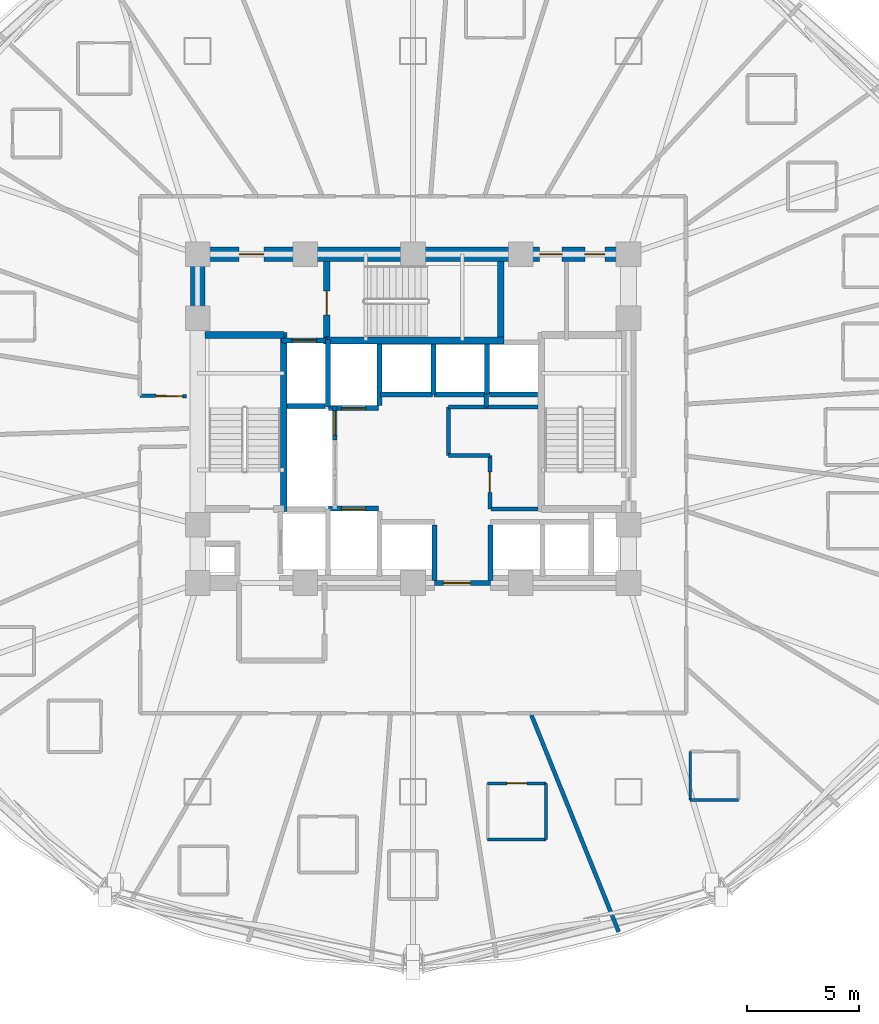
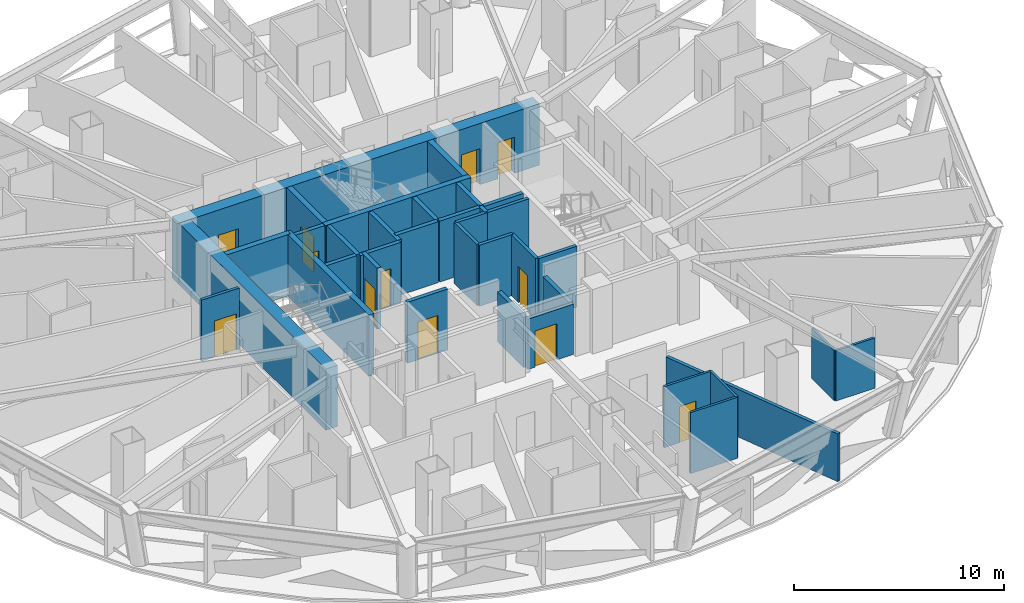
# One storey, part 6 of 13: 36 walls, 12 doors, 12 openings.
"""IFC4 building model written with IfcOpenShell, lengths in metres."""

from ifc_helpers import new_model, si_unit, direction, frame, frame_2d, origin, place, context, subcontext, project, spatial, rectangle, extrude, material, layer, layer_set, type_object, element, fill, save


model = new_model("IFC4")

# Units and contexts
model_context = context("Model", 3, precision=1e-05, world=origin(), true_north=direction((0.0, 1.0)))
body_context = subcontext(model_context, "Body", "Model", "MODEL_VIEW")
ifc_project = project(units=[si_unit("LENGTHUNIT", "METRE"), si_unit("AREAUNIT", "SQUARE_METRE"), si_unit("VOLUMEUNIT", "CUBIC_METRE"), si_unit("PLANEANGLEUNIT", "RADIAN"), si_unit("MASSUNIT", "GRAM", prefix="KILO")], contexts=[model_context])

# Site, building, storey
site_placement = place(None, origin())
site = spatial("IfcSite", under=ifc_project, at=site_placement, CompositionType="ELEMENT")
building_placement = place(site_placement, origin())
building = spatial("IfcBuilding", under=site, at=building_placement, Name="Vantalir Tower", CompositionType="ELEMENT")
storey_placement = place(building_placement, frame((0.0, 0.0, 53.25)))
storey = spatial("IfcBuildingStorey", under=building, at=storey_placement, Name="L12", CompositionType="ELEMENT", Elevation=53.25)

# Wall
ifc_material_1 = material(Name="Moisture-resistant en-suite partition", Category="gypsum")
ifc_layer_1 = layer(ifc_material_1, 0.125)
ifc_layer_set_1 = layer_set([ifc_layer_1], Name="Moisture-resistant en-suite partition")
wall_type_1 = type_object("IfcWallType", Name="WL-BATH-125", PredefinedType="PARTITIONING", material=ifc_layer_set_1)
wall_1_placement = place(storey_placement, frame((34.824951171875, 6.373046875, 0.0), z_axis=(0.0, 0.0, 1.0), x_axis=(1.0, 0.0, 0.0)))
element("IfcWall", 1, at=wall_1_placement, inside=storey, type_object=wall_type_1, Name="L12 En-suite 23 South Wall", PredefinedType="PARTITIONING", context=body_context, shape_type="SweptSolid", body=[
    extrude(rectangle(XDim=2.60009765625, YDim=0.125, at=frame_2d((1.300048828125, 0.0))), origin(), (0.0, 0.0, 1.0), 3.550048828125),
])

# Wall, opening, door
wall_2_placement = place(storey_placement, frame((34.824951171875, 8.873046875, 0.0), z_axis=(0.0, 0.0, 1.0), x_axis=(1.0, 0.0, 0.0)))
wall_2 = element("IfcWall", 2, at=wall_2_placement, inside=storey, type_object=wall_type_1, Name="L12 En-suite 23 North Wall", PredefinedType="PARTITIONING", context=body_context, shape_type="SweptSolid", body=[
    extrude(rectangle(XDim=2.60009765625, YDim=0.125, at=frame_2d((1.300048828125, 0.0))), origin(), (0.0, 0.0, 1.0), 3.550048828125),
])
opening_1_placement = place(wall_2_placement, frame((0.85009765625, 0.0, 0.0)))
opening_1 = element("IfcOpeningElement", 3, at=opening_1_placement, cuts=wall_2, Name="Opening D-WC", PredefinedType="OPENING", context=body_context, shape_type="SweptSolid", body=[
    extrude(rectangle(XDim=0.89990234375, YDim=2.10009765625, at=frame_2d((0.449951171875, 1.050048828125))), frame((0.0, 0.072509765625, 0.0), z_axis=(0.0, -1.0, 0.0), x_axis=(1.0, 0.0, 0.0)), (0.0, 0.0, 1.0), 0.14501953125),
])
ifc_material_2 = material(Name="Moisture-resistant hardwood door", Category="wood")
door_type_1 = type_object("IfcDoorType", Name="DR-ENSUITE-900", OperationType="NOTDEFINED", PredefinedType="DOOR", material=ifc_material_2)
door_1_placement = place(opening_1_placement, frame((0.89990234375, 0.0, 0.0), z_axis=(0.0, 0.0, 1.0), x_axis=(-1.0, 0.0, 0.0)))
door_1 = element("IfcDoor", 4, at=door_1_placement, inside=storey, type_object=door_type_1, Name="L12 En-suite 23 Door", OperationType="SINGLE_SWING_RIGHT", OverallHeight=2.10009765625, OverallWidth=0.89990234375, PredefinedType="DOOR", context=body_context, shape_type="SweptSolid", body=[
    extrude(rectangle(XDim=0.89990234375, YDim=2.10009765625, at=frame_2d((0.449951171875, 1.050048828125))), frame((0.0, 0.02490234375, 0.0), z_axis=(0.0, -1.0, 0.0), x_axis=(1.0, 0.0, 0.0)), (0.0, 0.0, 1.0), 0.050048828125),
])
fill(opening_1, door_1)

# Walls
wall_3_placement = place(storey_placement, frame((37.425048828125, 6.373046875, 0.0), z_axis=(0.0, 0.0, 1.0), x_axis=(0.0, 1.0, 0.0)))
element("IfcWall", 5, at=wall_3_placement, inside=storey, type_object=wall_type_1, Name="L12 En-suite 23 East Wall", PredefinedType="PARTITIONING", context=body_context, shape_type="SweptSolid", body=[
    extrude(rectangle(XDim=2.5, YDim=0.125, at=frame_2d((1.25, 0.0))), origin(), (0.0, 0.0, 1.0), 3.550048828125),
])
wall_4_placement = place(storey_placement, frame((43.846923828125, 8.135986328125, 0.0), z_axis=(0.0, 0.0, 1.0), x_axis=(1.0, 0.0, 0.0)))
element("IfcWall", 6, at=wall_4_placement, inside=storey, type_object=wall_type_1, Name="L12 En-suite 24 South Wall", PredefinedType="PARTITIONING", context=body_context, shape_type="SweptSolid", body=[
    extrude(rectangle(XDim=2.150146484375, YDim=0.125, at=frame_2d((1.0751953125, 0.0))), origin(), (0.0, 0.0, 1.0), 2.927978515625),
])
wall_5_placement = place(storey_placement, frame((43.846923828125, 8.135986328125, 0.0), z_axis=(0.0, 0.0, 1.0), x_axis=(0.0, 1.0, 0.0)))
element("IfcWall", 7, at=wall_5_placement, inside=storey, type_object=wall_type_1, Name="L12 En-suite 24 West Wall", PredefinedType="PARTITIONING", context=body_context, shape_type="SweptSolid", body=[
    extrude(rectangle(XDim=2.14990234375, YDim=0.125, at=frame_2d((1.074951171875, 0.0))), origin(), (0.0, 0.0, 1.0), 2.927978515625),
])

# Wall, openings, doors
ifc_material_3 = material(Name="Concrete C60/75", Category="concrete")
ifc_layer_2 = layer(ifc_material_3, 0.64990234375)
ifc_layer_set_2 = layer_set([ifc_layer_2], Name="Concrete C60/75")
wall_type_2 = type_object("IfcWallType", Name="WL-CORE-650", PredefinedType="SHEAR", material=ifc_layer_set_2)
wall_6_placement = place(storey_placement, frame((21.574951171875, 32.449951171875, 0.0), z_axis=(0.0, 0.0, 1.0), x_axis=(1.0, 0.0, 0.0)))
wall_6 = element("IfcWall", 8, at=wall_6_placement, inside=storey, type_object=wall_type_2, Name="L12 Core Shear Wall North", PredefinedType="SHEAR", context=body_context, shape_type="SweptSolid", body=[
    extrude(rectangle(XDim=19.85009765625, YDim=0.64990234375, at=frame_2d((9.925048828125, 0.0))), origin(), (0.0, 0.0, 1.0), 3.570068359375),
])
opening_2_placement = place(wall_6_placement, frame((2.175048828125, 0.0, 0.0)))
opening_2 = element("IfcOpeningElement", 9, at=opening_2_placement, cuts=wall_6, Name="Opening D-FFL", PredefinedType="OPENING", context=body_context, shape_type="SweptSolid", body=[
    extrude(rectangle(XDim=1.10009765625, YDim=2.10009765625, at=frame_2d((0.550048828125, 1.050048828125))), frame((0.0, 0.3349609375, 0.0), z_axis=(0.0, -1.0, 0.0), x_axis=(1.0, 0.0, 0.0)), (0.0, 0.0, 1.0), 0.669921875),
])
opening_3_placement = place(wall_6_placement, frame((15.56494140625, 0.0, 0.0)))
opening_3 = element("IfcOpeningElement", 10, at=opening_3_placement, cuts=wall_6, Name="Opening D-GUEST", PredefinedType="OPENING", context=body_context, shape_type="SweptSolid", body=[
    extrude(rectangle(XDim=1.0, YDim=2.10009765625, at=frame_2d((0.5, 1.050048828125))), frame((0.0, 0.3349609375, 0.0), z_axis=(0.0, -1.0, 0.0), x_axis=(1.0, 0.0, 0.0)), (0.0, 0.0, 1.0), 0.669921875),
])
opening_4_placement = place(wall_6_placement, frame((17.574951171875, 0.0, 0.0)))
opening_4 = element("IfcOpeningElement", 11, at=opening_4_placement, cuts=wall_6, Name="Opening D-CR", PredefinedType="OPENING", context=body_context, shape_type="SweptSolid", body=[
    extrude(rectangle(XDim=0.89990234375, YDim=2.10009765625, at=frame_2d((0.449951171875, 1.050048828125))), frame((0.0, 0.3349609375, 0.0), z_axis=(0.0, -1.0, 0.0), x_axis=(1.0, 0.0, 0.0)), (0.0, 0.0, 1.0), 0.669921875),
])
ifc_material_4 = material(Name="Fire-rated steel core service door", Category="steel")
door_type_2 = type_object("IfcDoorType", Name="DR-CORE-SERV-900", OperationType="NOTDEFINED", PredefinedType="DOOR", material=ifc_material_4)
door_2_placement = place(opening_4_placement, frame((0.89990234375, 0.0, 0.0), z_axis=(0.0, 0.0, 1.0), x_axis=(-1.0, 0.0, 0.0)))
door_2 = element("IfcDoor", 12, at=door_2_placement, inside=storey, type_object=door_type_2, Name="L12 Housekeeping and Linen Room Door", OperationType="SINGLE_SWING_RIGHT", OverallHeight=2.10009765625, OverallWidth=0.89990234375, PredefinedType="DOOR", context=body_context, shape_type="SweptSolid", body=[
    extrude(rectangle(XDim=0.89990234375, YDim=2.10009765625, at=frame_2d((0.449951171875, 1.050048828125))), frame((0.0, 0.02490234375, 0.0), z_axis=(0.0, -1.0, 0.0), x_axis=(1.0, 0.0, 0.0)), (0.0, 0.0, 1.0), 0.050048828125),
])
fill(opening_4, door_2)
ifc_material_5 = material(Name="Fire-rated acoustic steel door", Category="steel")
door_type_3 = type_object("IfcDoorType", Name="DR-FIRE-LOBBY-1100", OperationType="NOTDEFINED", PredefinedType="DOOR", material=ifc_material_5)
door_3_placement = place(opening_2_placement, frame((1.10009765625, 0.0, 0.0), z_axis=(0.0, 0.0, 1.0), x_axis=(-1.0, 0.0, 0.0)))
door_3 = element("IfcDoor", 13, at=door_3_placement, inside=storey, type_object=door_type_3, Name="L12 Firefighting Lobby East Access Door", OperationType="SINGLE_SWING_RIGHT", OverallHeight=2.10009765625, OverallWidth=1.10009765625, PredefinedType="DOOR", context=body_context, shape_type="SweptSolid", body=[
    extrude(rectangle(XDim=1.10009765625, YDim=2.10009765625, at=frame_2d((0.550048828125, 1.050048828125))), frame((0.0, 0.02490234375, 0.0), z_axis=(0.0, -1.0, 0.0), x_axis=(1.0, 0.0, 0.0)), (0.0, 0.0, 1.0), 0.050048828125),
])
fill(opening_2, door_3)
ifc_material_6 = material(Name="Solid-core teak veneer acoustic fire door", Category="wood")
door_type_4 = type_object("IfcDoorType", Name="DR-GUEST-ENTRY-1000", OperationType="NOTDEFINED", PredefinedType="DOOR", material=ifc_material_6)
door_4_placement = place(opening_3_placement, frame((1.0, 0.0, 0.0), z_axis=(0.0, 0.0, 1.0), x_axis=(-1.0, 0.0, 0.0)))
door_4 = element("IfcDoor", 14, at=door_4_placement, inside=storey, type_object=door_type_4, Name="L12 High-Rise Lift Lobby Door", OperationType="SINGLE_SWING_LEFT", OverallHeight=2.10009765625, OverallWidth=1.0, PredefinedType="DOOR", context=body_context, shape_type="SweptSolid", body=[
    extrude(rectangle(XDim=1.0, YDim=2.10009765625, at=frame_2d((0.5, 1.050048828125))), frame((0.0, 0.02490234375, 0.0), z_axis=(0.0, -1.0, 0.0), x_axis=(1.0, 0.0, 0.0)), (0.0, 0.0, 1.0), 0.050048828125),
])
fill(opening_3, door_4)

# Wall
wall_7_placement = place(storey_placement, frame((21.89990234375, 18.125, 0.0), z_axis=(0.0, 0.0, 1.0), x_axis=(0.0, 1.0, 0.0)))
element("IfcWall", 15, at=wall_7_placement, inside=storey, type_object=wall_type_2, Name="L12 Core Shear Wall West", PredefinedType="SHEAR", context=body_context, shape_type="SweptSolid", body=[
    extrude(rectangle(XDim=14.0, YDim=0.64990234375, at=frame_2d((7.0, 0.0))), origin(), (0.0, 0.0, 1.0), 3.570068359375),
])

# Wall, opening, door
ifc_material_7 = material(Name="Fire-rated hotel corridor acoustic partition", Category="gypsum")
ifc_layer_3 = layer(ifc_material_7, 0.159912109375)
ifc_layer_set_3 = layer_set([ifc_layer_3], Name="Fire-rated hotel corridor acoustic partition")
wall_type_3 = type_object("IfcWallType", Name="WL-CORR-160", PredefinedType="PARTITIONING", material=ifc_layer_set_3)
wall_8_placement = place(storey_placement, frame((21.39501953125, 26.117919921875, 0.0), z_axis=(0.0, 0.0, 1.0), x_axis=(-0.999931972005, 0.011664105718, 0.0)))
wall_8 = element("IfcWall", 16, at=wall_8_placement, inside=storey, type_object=wall_type_3, Name="L12 Corridor Partition 01", PredefinedType="PARTITIONING", context=body_context, shape_type="SweptSolid", body=[
    extrude(rectangle(XDim=2.072265625, YDim=0.159912109375, at=frame_2d((1.0361328125, 0.0))), origin(), (0.0, 0.0, 1.0), 3.550048828125),
])
opening_5_placement = place(wall_8_placement, frame((0.159912109375, 0.0, 0.0)))
opening_5 = element("IfcOpeningElement", 17, at=opening_5_placement, cuts=wall_8, Name="Opening D-STE", PredefinedType="OPENING", context=body_context, shape_type="SweptSolid", body=[
    extrude(rectangle(XDim=1.199951171875, YDim=2.10009765625, at=frame_2d((0.60009765625, 1.050048828125))), frame((0.0, 0.08984375, 0.0), z_axis=(0.0, -1.0, 0.0), x_axis=(1.0, 0.0, 0.0)), (0.0, 0.0, 1.0), 0.179931640625),
])
ifc_material_8 = material(Name="Solid-core teak veneer suite entrance door", Category="wood")
door_type_5 = type_object("IfcDoorType", Name="DR-SUITE-ENTRY-1200", OperationType="NOTDEFINED", PredefinedType="DOOR", material=ifc_material_8)
door_5_placement = place(opening_5_placement, origin())
door_5 = element("IfcDoor", 18, at=door_5_placement, inside=storey, type_object=door_type_5, Name="L12 Club Reading Lounge 15 Door", OperationType="SINGLE_SWING_LEFT", OverallHeight=2.10009765625, OverallWidth=1.199951171875, PredefinedType="DOOR", context=body_context, shape_type="SweptSolid", body=[
    extrude(rectangle(XDim=1.199951171875, YDim=2.10009765625, at=frame_2d((0.60009765625, 1.050048828125))), frame((0.0, 0.02490234375, 0.0), z_axis=(0.0, -1.0, 0.0), x_axis=(1.0, 0.0, 0.0)), (0.0, 0.0, 1.0), 0.050048828125),
])
fill(opening_5, door_5)

# Walls
ifc_material_9 = material(Name="Concrete blockwork with fireboard lining", Category="masonry")
ifc_layer_4 = layer(ifc_material_9, 0.219970703125)
ifc_layer_set_4 = layer_set([ifc_layer_4], Name="Concrete blockwork with fireboard lining")
wall_type_4 = type_object("IfcWallType", Name="WL-FFL-220", PredefinedType="PARTITIONING", material=ifc_layer_set_4)
for number, where, z_axis, x_axis, name in (
    (19, (32.449951171875, 17.919921875, 0.0), (0.0, 0.0, 1.0), (0.0, 1.0, 0.0), "L12 Shuttle Lift PL-X1 East Shaft Cheek"),
    (20, (34.949951171875, 17.919921875, 0.0), (0.0, 0.0, 1.0), (0.0, 1.0, 0.0), "L12 Shuttle Lift PL-X3 West Shaft Cheek"),
):
    element("IfcWall", number, at=place(storey_placement, frame(where, z_axis=z_axis, x_axis=x_axis)), inside=storey, type_object=wall_type_4, Name=name, PredefinedType="PARTITIONING", context=body_context, shape_type="SweptSolid", body=[
        extrude(rectangle(XDim=2.469970703125, YDim=0.219970703125, at=frame_2d((1.23486328125, 0.0))), origin(), (0.0, 0.0, 1.0), 2.927978515625),
    ])
wall_9_placement = place(storey_placement, frame((30.0, 25.7099609375, 0.0), z_axis=(0.0, 0.0, 1.0), x_axis=(0.0, 1.0, 0.0)))
element("IfcWall", 21, at=wall_9_placement, inside=storey, type_object=wall_type_4, Name="L12 Service Lift SV2 East Shaft Wall", PredefinedType="PARTITIONING", context=body_context, shape_type="SweptSolid", body=[
    extrude(rectangle(XDim=2.72998046875, YDim=0.219970703125, at=frame_2d((1.364990234375, 0.0))), origin(), (0.0, 0.0, 1.0), 3.544921875),
])
wall_10_placement = place(storey_placement, frame((32.39990234375, 26.199951171875, 0.0), z_axis=(0.0, 0.0, 1.0), x_axis=(0.0, 1.0, 0.0)))
element("IfcWall", 22, at=wall_10_placement, inside=storey, type_object=wall_type_4, Name="L12 High-Rise Lift PL-H1/H2 Shaft Divider", PredefinedType="PARTITIONING", context=body_context, shape_type="SweptSolid", body=[
    extrude(rectangle(XDim=2.239990234375, YDim=0.219970703125, at=frame_2d((1.1201171875, 0.0))), origin(), (0.0, 0.0, 1.0), 3.544921875),
])
wall_11_placement = place(storey_placement, frame((34.800048828125, 26.22998046875, 0.0), z_axis=(0.0, 0.0, 1.0), x_axis=(0.0, 1.0, 0.0)))
element("IfcWall", 23, at=wall_11_placement, inside=storey, type_object=wall_type_4, Name="L12 High-Rise Lift PL-H2/H3 Shaft Divider", PredefinedType="PARTITIONING", context=body_context, shape_type="SweptSolid", body=[
    extrude(rectangle(XDim=2.2099609375, YDim=0.219970703125, at=frame_2d((1.10498046875, 0.0))), origin(), (0.0, 0.0, 1.0), 3.544921875),
])
wall_12_placement = place(storey_placement, frame((34.909912109375, 26.18994140625, 0.0), z_axis=(0.0, 0.0, 1.0), x_axis=(1.0, 0.0, 0.0)))
element("IfcWall", 24, at=wall_12_placement, inside=storey, type_object=wall_type_4, Name="L12 High-Rise Lift PL-H3 Rear Shaft Wall", PredefinedType="PARTITIONING", context=body_context, shape_type="SweptSolid", body=[
    extrude(rectangle(XDim=2.14013671875, YDim=0.219970703125, at=frame_2d((1.070068359375, 0.0))), origin(), (0.0, 0.0, 1.0), 3.544921875),
])

# Wall, opening, door
wall_13_placement = place(storey_placement, frame((32.449951171875, 17.800048828125, 0.0), z_axis=(0.0, 0.0, 1.0), x_axis=(1.0, 0.0, 0.0)))
wall_13 = element("IfcWall", 25, at=wall_13_placement, inside=storey, type_object=wall_type_4, Name="L12 Passenger Lift Lobby South Wall", PredefinedType="PARTITIONING", context=body_context, shape_type="SweptSolid", body=[
    extrude(rectangle(XDim=2.5, YDim=0.219970703125, at=frame_2d((1.25, 0.0))), origin(), (0.0, 0.0, 1.0), 2.927978515625),
])
opening_6_placement = place(wall_13_placement, frame((0.39990234375, 0.0, 0.0)))
opening_6 = element("IfcOpeningElement", 26, at=opening_6_placement, cuts=wall_13, Name="Opening D-STE", PredefinedType="OPENING", context=body_context, shape_type="SweptSolid", body=[
    extrude(rectangle(XDim=1.199951171875, YDim=2.10009765625, at=frame_2d((0.60009765625, 1.050048828125))), frame((0.0, 0.119873046875, 0.0), z_axis=(0.0, -1.0, 0.0), x_axis=(1.0, 0.0, 0.0)), (0.0, 0.0, 1.0), 0.239990234375),
])
door_6_placement = place(opening_6_placement, origin())
door_6 = element("IfcDoor", 27, at=door_6_placement, inside=storey, type_object=door_type_5, Name="L12 Passenger Lift Lobby Concourse Door", OperationType="SINGLE_SWING_LEFT", OverallHeight=2.10009765625, OverallWidth=1.199951171875, PredefinedType="DOOR", context=body_context, shape_type="SweptSolid", body=[
    extrude(rectangle(XDim=1.199951171875, YDim=2.10009765625, at=frame_2d((0.60009765625, 1.050048828125))), frame((0.0, 0.02490234375, 0.0), z_axis=(0.0, -1.0, 0.0), x_axis=(1.0, 0.0, 0.0)), (0.0, 0.0, 1.0), 0.050048828125),
])
fill(opening_6, door_6)

wall_14_placement = place(storey_placement, frame((25.639892578125, 28.610107421875, 0.0), z_axis=(0.0, 0.0, 1.0), x_axis=(1.0, 0.0, 0.0)))
wall_14 = element("IfcWall", 28, at=wall_14_placement, inside=storey, type_object=wall_type_4, Name="L12 Lift FL2 Shaft Front Wall", PredefinedType="PARTITIONING", context=body_context, shape_type="SweptSolid", body=[
    extrude(rectangle(XDim=2.02001953125, YDim=0.219970703125, at=frame_2d((1.010009765625, 0.0))), origin(), (0.0, 0.0, 1.0), 3.550048828125),
])
opening_7_placement = place(wall_14_placement, frame((0.4599609375, 0.0, 0.0)))
opening_7 = element("IfcOpeningElement", 29, at=opening_7_placement, cuts=wall_14, Name="Opening LD-FL2", PredefinedType="OPENING", context=body_context, shape_type="SweptSolid", body=[
    extrude(rectangle(XDim=1.10009765625, YDim=2.199951171875, at=frame_2d((0.550048828125, 1.10009765625))), frame((0.0, 0.119873046875, 0.0), z_axis=(0.0, -1.0, 0.0), x_axis=(1.0, 0.0, 0.0)), (0.0, 0.0, 1.0), 0.239990234375),
])
ifc_material_10 = material(Name="Brushed stainless-steel sliding lift landing door", Category="steel")
door_type_6 = type_object("IfcDoorType", Name="DR-LIFT-LANDING-1100", OperationType="DOUBLE_DOOR_SLIDING", PredefinedType="DOOR", material=ifc_material_10)
door_7_placement = place(opening_7_placement, origin())
door_7 = element("IfcDoor", 30, at=door_7_placement, inside=storey, type_object=door_type_6, Name="L12 Lift Landing Door FL2", OperationType="DOUBLE_DOOR_SLIDING", OverallHeight=2.199951171875, OverallWidth=1.10009765625, PredefinedType="DOOR", context=body_context, shape_type="SweptSolid", body=[
    extrude(rectangle(XDim=1.10009765625, YDim=2.199951171875, at=frame_2d((0.550048828125, 1.10009765625))), frame((0.0, 0.02490234375, 0.0), z_axis=(0.0, -1.0, 0.0), x_axis=(1.0, 0.0, 0.0)), (0.0, 0.0, 1.0), 0.050048828125),
])
fill(opening_7, door_7)

wall_15_placement = place(storey_placement, frame((27.739990234375, 21.110107421875, 0.0), z_axis=(0.0, 0.0, 1.0), x_axis=(1.0, 0.0, 0.0)))
wall_15 = element("IfcWall", 31, at=wall_15_placement, inside=storey, type_object=wall_type_4, Name="L12 Lift SV1 Shaft Front Wall", PredefinedType="PARTITIONING", context=body_context, shape_type="SweptSolid", body=[
    extrude(rectangle(XDim=2.219970703125, YDim=0.219970703125, at=frame_2d((1.10986328125, 0.0))), origin(), (0.0, 0.0, 1.0), 3.550048828125),
])
opening_8_placement = place(wall_15_placement, frame((0.56005859375, 0.0, 0.0)))
opening_8 = element("IfcOpeningElement", 32, at=opening_8_placement, cuts=wall_15, Name="Opening LD-SV1", PredefinedType="OPENING", context=body_context, shape_type="SweptSolid", body=[
    extrude(rectangle(XDim=1.10009765625, YDim=2.199951171875, at=frame_2d((0.550048828125, 1.10009765625))), frame((0.0, 0.119873046875, 0.0), z_axis=(0.0, -1.0, 0.0), x_axis=(1.0, 0.0, 0.0)), (0.0, 0.0, 1.0), 0.239990234375),
])
door_8_placement = place(opening_8_placement, origin())
door_8 = element("IfcDoor", 33, at=door_8_placement, inside=storey, type_object=door_type_6, Name="L12 Lift Landing Door SV1", OperationType="DOUBLE_DOOR_SLIDING", OverallHeight=2.199951171875, OverallWidth=1.10009765625, PredefinedType="DOOR", context=body_context, shape_type="SweptSolid", body=[
    extrude(rectangle(XDim=1.10009765625, YDim=2.199951171875, at=frame_2d((0.550048828125, 1.10009765625))), frame((0.0, 0.02490234375, 0.0), z_axis=(0.0, -1.0, 0.0), x_axis=(1.0, 0.0, 0.0)), (0.0, 0.0, 1.0), 0.050048828125),
])
fill(opening_8, door_8)

wall_16_placement = place(storey_placement, frame((27.739990234375, 25.590087890625, 0.0), z_axis=(0.0, 0.0, 1.0), x_axis=(1.0, 0.0, 0.0)))
wall_16 = element("IfcWall", 34, at=wall_16_placement, inside=storey, type_object=wall_type_4, Name="L12 Lift SV2 Shaft Front Wall", PredefinedType="PARTITIONING", context=body_context, shape_type="SweptSolid", body=[
    extrude(rectangle(XDim=2.219970703125, YDim=0.219970703125, at=frame_2d((1.10986328125, 0.0))), origin(), (0.0, 0.0, 1.0), 3.550048828125),
])
opening_9_placement = place(wall_16_placement, frame((0.56005859375, 0.0, 0.0)))
opening_9 = element("IfcOpeningElement", 35, at=opening_9_placement, cuts=wall_16, Name="Opening LD-SV2", PredefinedType="OPENING", context=body_context, shape_type="SweptSolid", body=[
    extrude(rectangle(XDim=1.10009765625, YDim=2.199951171875, at=frame_2d((0.550048828125, 1.10009765625))), frame((0.0, 0.119873046875, 0.0), z_axis=(0.0, -1.0, 0.0), x_axis=(1.0, 0.0, 0.0)), (0.0, 0.0, 1.0), 0.239990234375),
])
door_9_placement = place(opening_9_placement, frame((1.10009765625, 0.0, 0.0), z_axis=(0.0, 0.0, 1.0), x_axis=(-1.0, 0.0, 0.0)))
door_9 = element("IfcDoor", 36, at=door_9_placement, inside=storey, type_object=door_type_6, Name="L12 Lift Landing Door SV2", OperationType="DOUBLE_DOOR_SLIDING", OverallHeight=2.199951171875, OverallWidth=1.10009765625, PredefinedType="DOOR", context=body_context, shape_type="SweptSolid", body=[
    extrude(rectangle(XDim=1.10009765625, YDim=2.199951171875, at=frame_2d((0.550048828125, 1.10009765625))), frame((0.0, 0.02490234375, 0.0), z_axis=(0.0, -1.0, 0.0), x_axis=(1.0, 0.0, 0.0)), (0.0, 0.0, 1.0), 0.050048828125),
])
fill(opening_9, door_9)

# Walls
for number, where, z_axis, x_axis, name in (
    (37, (30.0400390625, 26.18994140625, 0.0), (0.0, 0.0, 1.0), (1.0, 0.0, 0.0), "L12 Lift PL-H1 Shaft Front Wall"),
    (38, (32.43994140625, 26.18994140625, 0.0), (0.0, 0.0, 1.0), (1.0, 0.0, 0.0), "L12 Lift PL-H2 Shaft Front Wall"),
):
    element("IfcWall", number, at=place(storey_placement, frame(where, z_axis=z_axis, x_axis=x_axis)), inside=storey, type_object=wall_type_4, Name=name, PredefinedType="PARTITIONING", context=body_context, shape_type="SweptSolid", body=[
        extrude(rectangle(XDim=2.320068359375, YDim=0.219970703125, at=frame_2d((1.16015625, 0.0))), origin(), (0.0, 0.0, 1.0), 3.550048828125),
    ])

# Wall, opening, door
wall_17_placement = place(storey_placement, frame((28.010009765625, 24.179931640625, 0.0), z_axis=(0.0, 0.0, 1.0), x_axis=(0.0, 1.0, 0.0)))
wall_17 = element("IfcWall", 39, at=wall_17_placement, inside=storey, type_object=wall_type_4, Name="L12 Lift PL-L3 Shaft Front Wall", PredefinedType="PARTITIONING", context=body_context, shape_type="SweptSolid", body=[
    extrude(rectangle(XDim=1.5, YDim=0.219970703125, at=frame_2d((0.75, 0.0))), origin(), (0.0, 0.0, 1.0), 3.550048828125),
])
opening_10_placement = place(wall_17_placement, frame((0.199951171875, 0.0, 0.0)))
opening_10 = element("IfcOpeningElement", 40, at=opening_10_placement, cuts=wall_17, Name="Opening LD-PL-L3", PredefinedType="OPENING", context=body_context, shape_type="SweptSolid", body=[
    extrude(rectangle(XDim=1.10009765625, YDim=2.199951171875, at=frame_2d((0.550048828125, 1.10009765625))), frame((0.0, 0.119873046875, 0.0), z_axis=(0.0, -1.0, 0.0), x_axis=(1.0, 0.0, 0.0)), (0.0, 0.0, 1.0), 0.239990234375),
])
door_10_placement = place(opening_10_placement, frame((1.10009765625, 0.0, 0.0), z_axis=(0.0, 0.0, 1.0), x_axis=(-1.0, 0.0, 0.0)))
door_10 = element("IfcDoor", 41, at=door_10_placement, inside=storey, type_object=door_type_6, Name="L12 Lift Landing Door PL-L3", OperationType="DOUBLE_DOOR_SLIDING", OverallHeight=2.199951171875, OverallWidth=1.10009765625, PredefinedType="DOOR", context=body_context, shape_type="SweptSolid", body=[
    extrude(rectangle(XDim=1.10009765625, YDim=2.199951171875, at=frame_2d((0.550048828125, 1.10009765625))), frame((0.0, 0.02490234375, 0.0), z_axis=(0.0, -1.0, 0.0), x_axis=(1.0, 0.0, 0.0)), (0.0, 0.0, 1.0), 0.050048828125),
])
fill(opening_10, door_10)

# Walls
wall_18_placement = place(storey_placement, frame((27.699951171875, 25.64990234375, 0.0), z_axis=(0.0, 0.0, 1.0), x_axis=(0.0, 1.0, 0.0)))
element("IfcWall", 42, at=wall_18_placement, inside=storey, type_object=wall_type_4, Name="L12 Fire Lift FL2 Dividing Wall", PredefinedType="PARTITIONING", context=body_context, shape_type="SweptSolid", body=[
    extrude(rectangle(XDim=3.0, YDim=0.219970703125, at=frame_2d((1.5, 0.0))), origin(), (0.0, 0.0, 1.0), 3.550048828125),
])
wall_19_placement = place(storey_placement, frame((25.8798828125, 25.679931640625, 0.0), z_axis=(0.0, 0.0, 1.0), x_axis=(1.0, 0.0, 0.0)))
element("IfcWall", 43, at=wall_19_placement, inside=storey, type_object=wall_type_4, Name="L12 Low-Rise Bank North Wall", PredefinedType="PARTITIONING", context=body_context, shape_type="SweptSolid", body=[
    extrude(rectangle(XDim=1.7001953125, YDim=0.219970703125, at=frame_2d((0.85009765625, 0.0))), origin(), (0.0, 0.0, 1.0), 3.550048828125),
])
wall_20_placement = place(storey_placement, frame((34.760009765625, 25.64990234375, 0.0), z_axis=(0.0, 0.0, 1.0), x_axis=(0.0, 1.0, 0.0)))
element("IfcWall", 44, at=wall_20_placement, inside=storey, type_object=wall_type_4, Name="L12 High-Rise Shaft Shoulder Wall", PredefinedType="PARTITIONING", context=body_context, shape_type="SweptSolid", body=[
    extrude(rectangle(XDim=0.570068359375, YDim=0.219970703125, at=frame_2d((0.28515625, 0.0))), origin(), (0.0, 0.0, 1.0), 3.550048828125),
])
ifc_material_11 = material(Name="Twin-stud acoustic fire-rated gypsum partition", Category="gypsum")
ifc_layer_5 = layer(ifc_material_11, 0.179931640625)
ifc_layer_set_5 = layer_set([ifc_layer_5], Name="Twin-stud acoustic fire-rated gypsum partition")
wall_type_5 = type_object("IfcWallType", Name="WL-GUEST-180", PredefinedType="PARTITIONING", material=ifc_layer_set_5)
wall_21_placement = place(storey_placement, frame((34.97998046875, 21.10009765625, 0.0), z_axis=(0.0, 0.0, 1.0), x_axis=(1.0, 0.0, 0.0)))
element("IfcWall", 45, at=wall_21_placement, inside=storey, type_object=wall_type_5, Name="L12 Freed East Core South Wall", PredefinedType="PARTITIONING", context=body_context, shape_type="SweptSolid", body=[
    extrude(rectangle(XDim=2.080078125, YDim=0.179931640625, at=frame_2d((1.0400390625, 0.0))), origin(), (0.0, 0.0, 1.0), 3.550048828125),
])
wall_22_placement = place(storey_placement, frame((34.719970703125, 25.64990234375, 0.0), z_axis=(0.0, 0.0, 1.0), x_axis=(1.0, 0.0, 0.0)))
element("IfcWall", 46, at=wall_22_placement, inside=storey, type_object=wall_type_5, Name="L12 Freed East Core North Wall", PredefinedType="PARTITIONING", context=body_context, shape_type="SweptSolid", body=[
    extrude(rectangle(XDim=2.340087890625, YDim=0.179931640625, at=frame_2d((1.169921875, 0.0))), origin(), (0.0, 0.0, 1.0), 3.550048828125),
])
wall_23_placement = place(storey_placement, frame((33.080078125, 25.64990234375, 0.0), z_axis=(0.0, 0.0, 1.0), x_axis=(1.0, 0.0, 0.0)))
element("IfcWall", 47, at=wall_23_placement, inside=storey, type_object=wall_type_5, Name="L12 East Core Alcove North Wall", PredefinedType="PARTITIONING", context=body_context, shape_type="SweptSolid", body=[
    extrude(rectangle(XDim=1.679931640625, YDim=0.179931640625, at=frame_2d((0.83984375, 0.0))), origin(), (0.0, 0.0, 1.0), 3.550048828125),
])
wall_24_placement = place(storey_placement, frame((33.080078125, 23.47998046875, 0.0), z_axis=(0.0, 0.0, 1.0), x_axis=(0.0, 1.0, 0.0)))
element("IfcWall", 48, at=wall_24_placement, inside=storey, type_object=wall_type_5, Name="L12 East Core Alcove West Wall", PredefinedType="PARTITIONING", context=body_context, shape_type="SweptSolid", body=[
    extrude(rectangle(XDim=2.169921875, YDim=0.179931640625, at=frame_2d((1.0849609375, 0.0))), origin(), (0.0, 0.0, 1.0), 3.550048828125),
])
wall_25_placement = place(storey_placement, frame((33.080078125, 23.47998046875, 0.0), z_axis=(0.0, 0.0, 1.0), x_axis=(1.0, 0.0, 0.0)))
element("IfcWall", 49, at=wall_25_placement, inside=storey, type_object=wall_type_5, Name="L12 East Core Alcove South Wall", PredefinedType="PARTITIONING", context=body_context, shape_type="SweptSolid", body=[
    extrude(rectangle(XDim=1.83984375, YDim=0.179931640625, at=frame_2d((0.919921875, 0.0))), origin(), (0.0, 0.0, 1.0), 3.550048828125),
])

# Wall, opening, door
wall_26_placement = place(storey_placement, frame((34.919921875, 21.10009765625, 0.0), z_axis=(0.0, 0.0, 1.0), x_axis=(0.0, 1.0, 0.0)))
wall_26 = element("IfcWall", 50, at=wall_26_placement, inside=storey, type_object=wall_type_5, Name="L12 East Core Lower West Wall", PredefinedType="PARTITIONING", context=body_context, shape_type="SweptSolid", body=[
    extrude(rectangle(XDim=2.3798828125, YDim=0.179931640625, at=frame_2d((1.18994140625, 0.0))), origin(), (0.0, 0.0, 1.0), 3.550048828125),
])
opening_11_placement = place(wall_26_placement, frame((0.739990234375, 0.0, 0.0)))
opening_11 = element("IfcOpeningElement", 51, at=opening_11_placement, cuts=wall_26, Name="Opening D-CR", PredefinedType="OPENING", context=body_context, shape_type="SweptSolid", body=[
    extrude(rectangle(XDim=0.89990234375, YDim=2.10009765625, at=frame_2d((0.449951171875, 1.050048828125))), frame((0.0, 0.099853515625, 0.0), z_axis=(0.0, -1.0, 0.0), x_axis=(1.0, 0.0, 0.0)), (0.0, 0.0, 1.0), 0.199951171875),
])
door_11_placement = place(opening_11_placement, frame((0.89990234375, 0.0, 0.0), z_axis=(0.0, 0.0, 1.0), x_axis=(-1.0, 0.0, 0.0)))
door_11 = element("IfcDoor", 52, at=door_11_placement, inside=storey, type_object=door_type_2, Name="L12 Core Telecoms Door", OperationType="SINGLE_SWING_LEFT", OverallHeight=2.10009765625, OverallWidth=0.89990234375, PredefinedType="DOOR", context=body_context, shape_type="SweptSolid", body=[
    extrude(rectangle(XDim=0.89990234375, YDim=2.10009765625, at=frame_2d((0.449951171875, 1.050048828125))), frame((0.0, 0.02490234375, 0.0), z_axis=(0.0, -1.0, 0.0), x_axis=(1.0, 0.0, 0.0)), (0.0, 0.0, 1.0), 0.050048828125),
])
fill(opening_11, door_11)

# Walls
wall_27_placement = place(storey_placement, frame((36.77197265625, 11.9130859375, 0.0), z_axis=(0.0, 0.0, 1.0), x_axis=(0.373617850664, -0.927582719581, 0.0)))
element("IfcWall", 53, at=wall_27_placement, inside=storey, type_object=wall_type_5, Name="L12 Radial Suite Partition 24", PredefinedType="PARTITIONING", context=body_context, shape_type="SweptSolid", body=[
    extrude(rectangle(XDim=10.40869140625, YDim=0.179931640625, at=frame_2d((5.204345703125, 0.0))), origin(), (0.0, 0.0, 1.0), 2.77490234375),
])
ifc_material_12 = material(Name="Concrete C50/60", Category="concrete")
ifc_layer_6 = layer(ifc_material_12, 0.300048828125)
ifc_layer_set_6 = layer_set([ifc_layer_6], Name="Concrete C50/60")
wall_type_6 = type_object("IfcWallType", Name="WL-STAIR-300", PredefinedType="SHEAR", material=ifc_layer_set_6)
wall_28_placement = place(storey_placement, frame((22.22509765625, 28.85009765625, 0.0), z_axis=(0.0, 0.0, 1.0), x_axis=(1.0, 0.0, 0.0)))
element("IfcWall", 54, at=wall_28_placement, inside=storey, type_object=wall_type_6, Name="L12 Stair ST1 North Wall", PredefinedType="SHEAR", context=body_context, shape_type="SweptSolid", body=[
    extrude(rectangle(XDim=3.514892578125, YDim=0.300048828125, at=frame_2d((1.75732421875, 0.0))), origin(), (0.0, 0.0, 1.0), 3.570068359375),
])
wall_29_placement = place(storey_placement, frame((25.739990234375, 20.97998046875, 0.0), z_axis=(0.0, 0.0, 1.0), x_axis=(0.0, 1.0, 0.0)))
element("IfcWall", 55, at=wall_29_placement, inside=storey, type_object=wall_type_6, Name="L12 Stair ST1 East Wall", PredefinedType="SHEAR", context=body_context, shape_type="SweptSolid", body=[
    extrude(rectangle(XDim=7.989990234375, YDim=0.300048828125, at=frame_2d((3.9951171875, 0.0))), origin(), (0.0, 0.0, 1.0), 3.570068359375),
])
wall_30_placement = place(storey_placement, frame((27.510009765625, 28.60009765625, 0.0), z_axis=(0.0, 0.0, 1.0), x_axis=(1.0, 0.0, 0.0)))
element("IfcWall", 56, at=wall_30_placement, inside=storey, type_object=wall_type_6, Name="L12 Stair ST3 South Wall", PredefinedType="SHEAR", context=body_context, shape_type="SweptSolid", body=[
    extrude(rectangle(XDim=8.030029296875, YDim=0.300048828125, at=frame_2d((4.01513671875, 0.0))), origin(), (0.0, 0.0, 1.0), 3.570068359375),
])

# Wall, opening, door
wall_31_placement = place(storey_placement, frame((27.64990234375, 28.75, 0.0), z_axis=(0.0, 0.0, 1.0), x_axis=(0.0, 1.0, 0.0)))
wall_31 = element("IfcWall", 57, at=wall_31_placement, inside=storey, type_object=wall_type_6, Name="L12 Stair ST3 West Wall", PredefinedType="SHEAR", context=body_context, shape_type="SweptSolid", body=[
    extrude(rectangle(XDim=3.375, YDim=0.300048828125, at=frame_2d((1.6875, 0.0))), origin(), (0.0, 0.0, 1.0), 3.570068359375),
])
opening_12_placement = place(wall_31_placement, frame((1.0, 0.0, 0.0)))
opening_12 = element("IfcOpeningElement", 58, at=opening_12_placement, cuts=wall_31, Name="Opening D-ST", PredefinedType="OPENING", context=body_context, shape_type="SweptSolid", body=[
    extrude(rectangle(XDim=1.050048828125, YDim=2.10009765625, at=frame_2d((0.52490234375, 1.050048828125))), frame((0.0, 0.159912109375, 0.0), z_axis=(0.0, -1.0, 0.0), x_axis=(1.0, 0.0, 0.0)), (0.0, 0.0, 1.0), 0.320068359375),
])
ifc_material_13 = material(Name="Fire-rated steel door leaf", Category="steel")
door_type_7 = type_object("IfcDoorType", Name="DR-FIRE-STAIR-1050", OperationType="NOTDEFINED", PredefinedType="DOOR", material=ifc_material_13)
door_12_placement = place(opening_12_placement, frame((1.050048828125, 0.0, 0.0), z_axis=(0.0, 0.0, 1.0), x_axis=(-1.0, 0.0, 0.0)))
door_12 = element("IfcDoor", 59, at=door_12_placement, inside=storey, type_object=door_type_7, Name="L12 Exit Stair ST3 Fire Door", OperationType="SINGLE_SWING_LEFT", OverallHeight=2.10009765625, OverallWidth=1.050048828125, PredefinedType="DOOR", context=body_context, shape_type="SweptSolid", body=[
    extrude(rectangle(XDim=1.050048828125, YDim=2.10009765625, at=frame_2d((0.52490234375, 1.050048828125))), frame((0.0, 0.02490234375, 0.0), z_axis=(0.0, -1.0, 0.0), x_axis=(1.0, 0.0, 0.0)), (0.0, 0.0, 1.0), 0.050048828125),
])
fill(opening_12, door_12)

# Wall
wall_32_placement = place(storey_placement, frame((35.39990234375, 28.75, 0.0), z_axis=(0.0, 0.0, 1.0), x_axis=(0.0, 1.0, 0.0)))
element("IfcWall", 60, at=wall_32_placement, inside=storey, type_object=wall_type_6, Name="L12 Stair ST3 East Wall", PredefinedType="SHEAR", context=body_context, shape_type="SweptSolid", body=[
    extrude(rectangle(XDim=3.375, YDim=0.300048828125, at=frame_2d((1.6875, 0.0))), origin(), (0.0, 0.0, 1.0), 3.570068359375),
])

save(model, "model.ifc")
